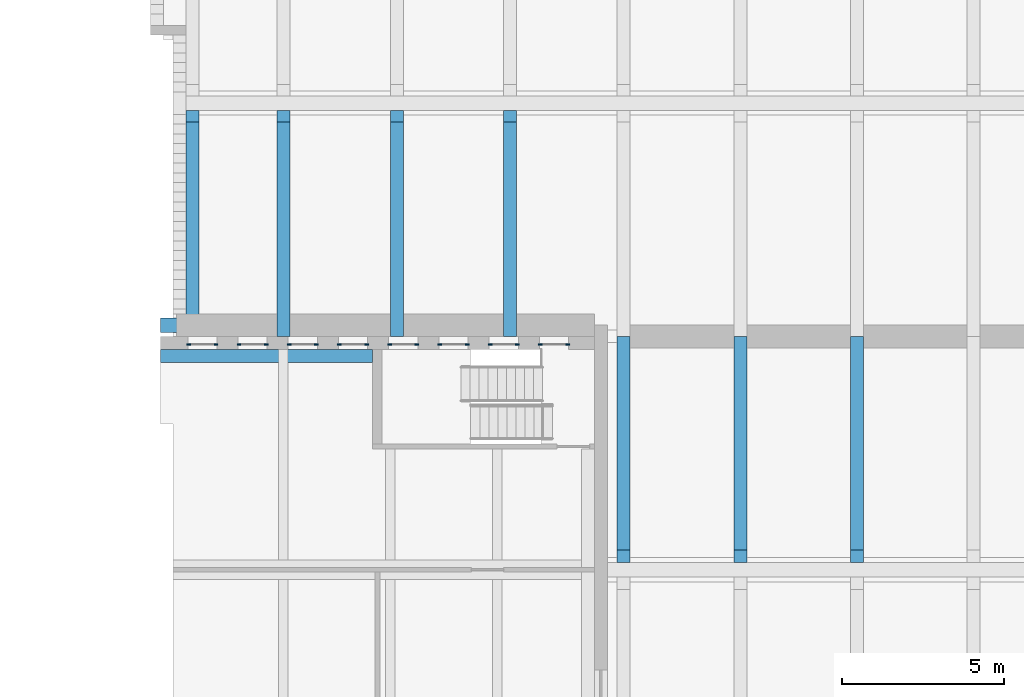
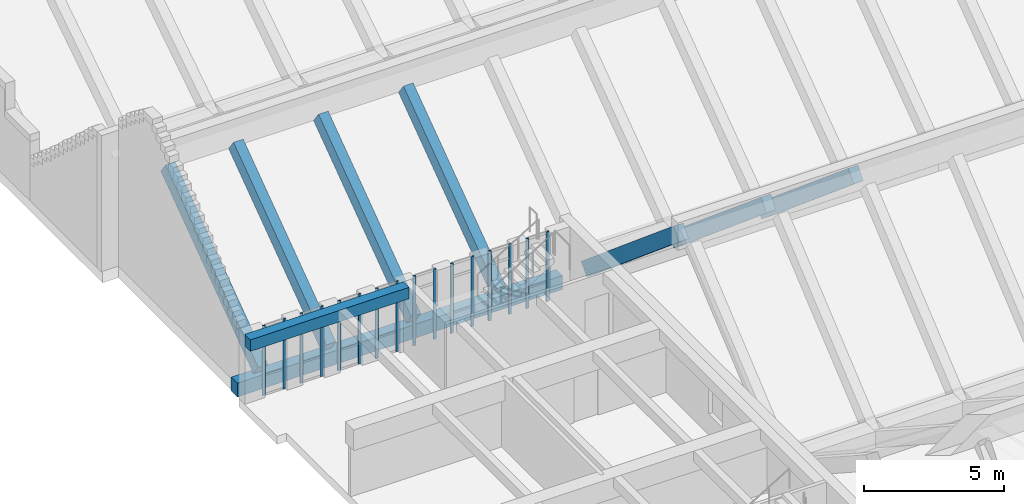
# One storey, part 7 of 31: 16 members, 9 beams, 8 elements without a shape of their own.
"""IFC4 building model written with IfcOpenShell, lengths in metres."""

from ifc_helpers import new_model, si_unit, direction, frame, origin, origin_2d, place, context, subcontext, project, spatial, rectangle, extrude, material, material_profile, profile_set, type_object, element, aggregate, save


model = new_model("IFC4")

# Units and contexts
model_context = context("Model", 3, precision=1e-05, world=origin(), true_north=direction((0.0, 1.0)))
body_context = subcontext(model_context, "Body", "Model", "MODEL_VIEW")
ifc_project = project(units=[si_unit("LENGTHUNIT", "METRE"), si_unit("AREAUNIT", "SQUARE_METRE"), si_unit("VOLUMEUNIT", "CUBIC_METRE"), si_unit("PLANEANGLEUNIT", "RADIAN"), si_unit("MASSUNIT", "GRAM", prefix="KILO")], contexts=[model_context])

# Site, building, storey
site_placement = place(None, origin())
site = spatial("IfcSite", under=ifc_project, at=site_placement, CompositionType="ELEMENT")
building_placement = place(site_placement, origin())
building = spatial("IfcBuilding", under=site, at=building_placement, Name="Vermilion Court Aquatics Centre", CompositionType="ELEMENT")
storey_placement = place(building_placement, frame((0.0, 0.0, 16.5)))
storey = spatial("IfcBuildingStorey", under=building, at=storey_placement, Name="L03", CompositionType="ELEMENT", Elevation=16.5)

# Beam
ifc_material_1 = material(Name="Concrete 8000 psi", Category="concrete")
ifc_material_profile_1 = material_profile(ifc_material_1, rectangle(XDim=0.39990234375, YDim=0.5, at=origin_2d()), Name="RC 400x500")
ifc_profile_set_1 = profile_set([ifc_material_profile_1], Name="Concrete 8000 psi")
beam_type_1 = type_object("IfcBeamType", Name="Diving Tower diaphragm chord beam RC 400x500", PredefinedType="BEAM", material=ifc_profile_set_1)
beam_1_placement = place(storey_placement, frame((144.110107421875, 57.0, 2.800048828125), z_axis=(1.0, 0.0, 0.0), x_axis=(0.0, 1.0, 0.0)))
element("IfcBeam", 1, at=beam_1_placement, inside=storey, type_object=beam_type_1, Name="Diving Tower diaphragm chord beam N L04", PredefinedType="BEAM", context=body_context, shape_type="SweptSolid", body=[
    extrude(rectangle(XDim=0.39990234375, YDim=0.5, at=origin_2d()), origin(), (0.0, 0.0, 1.0), 6.539794921875),
])

# Curtain wall, members
ifc_material_2 = material(Name="Aluminium 6063-T5", Category="aluminium")
curtain_wall_type = type_object("IfcCurtainWallType", Name="Diving Tower slot curtain wall 900 module", PredefinedType="NOTDEFINED", material=ifc_material_2)
curtain_wall_1_placement = place(storey_placement, origin())
curtain_wall_1 = element("IfcCurtainWall", 2, at=curtain_wall_1_placement, inside=storey, type_object=curtain_wall_type, Name="Diving Tower slot window north 1 L03", PredefinedType="NOTDEFINED")
ifc_material_3 = material(Name="Aluminium 6063-T5", Category="aluminium")
ifc_material_profile_2 = material_profile(ifc_material_3, rectangle(XDim=0.050048828125, YDim=0.1201171875, at=origin_2d()), Name="AL 50x120")
ifc_profile_set_2 = profile_set([ifc_material_profile_2], Name="Aluminium 6063-T5")
member_type = type_object("IfcMemberType", Name="Diving Tower slot mullion 50x120", PredefinedType="MULLION", material=ifc_profile_set_2)
member_1_placement = place(storey_placement, frame((144.97998046875, 57.35009765625, 0.0), z_axis=(0.0, 0.0, 1.0), x_axis=(0.0, 1.0, 0.0)))
member_1 = element("IfcMember", 3, at=member_1_placement, type_object=member_type, Name="UCW3 mullion 1", PredefinedType="MULLION", context=body_context, shape_type="SweptSolid", body=[
    extrude(rectangle(XDim=0.050048828125, YDim=0.1201171875, at=origin_2d()), origin(), (0.0, 0.0, 1.0), 3.050048828125),
])
member_2_placement = place(storey_placement, frame((145.820068359375, 57.35009765625, 0.0), z_axis=(0.0, 0.0, 1.0), x_axis=(0.0, 1.0, 0.0)))
member_2 = element("IfcMember", 4, at=member_2_placement, type_object=member_type, Name="UCW3 mullion 2", PredefinedType="MULLION", context=body_context, shape_type="SweptSolid", body=[
    extrude(rectangle(XDim=0.050048828125, YDim=0.1201171875, at=origin_2d()), origin(), (0.0, 0.0, 1.0), 3.050048828125),
])
aggregate(curtain_wall_1, [member_1, member_2])

curtain_wall_2_placement = place(storey_placement, origin())
curtain_wall_2 = element("IfcCurtainWall", 5, at=curtain_wall_2_placement, inside=storey, type_object=curtain_wall_type, Name="Diving Tower slot window north 2 L03", PredefinedType="NOTDEFINED")
member_3_placement = place(storey_placement, frame((146.530029296875, 57.35009765625, 0.0), z_axis=(0.0, 0.0, 1.0), x_axis=(0.0, 1.0, 0.0)))
member_3 = element("IfcMember", 6, at=member_3_placement, type_object=member_type, Name="UCW3 mullion 1", PredefinedType="MULLION", context=body_context, shape_type="SweptSolid", body=[
    extrude(rectangle(XDim=0.050048828125, YDim=0.1201171875, at=origin_2d()), origin(), (0.0, 0.0, 1.0), 3.050048828125),
])
member_4_placement = place(storey_placement, frame((147.3701171875, 57.35009765625, 0.0), z_axis=(0.0, 0.0, 1.0), x_axis=(0.0, 1.0, 0.0)))
member_4 = element("IfcMember", 7, at=member_4_placement, type_object=member_type, Name="UCW3 mullion 2", PredefinedType="MULLION", context=body_context, shape_type="SweptSolid", body=[
    extrude(rectangle(XDim=0.050048828125, YDim=0.1201171875, at=origin_2d()), origin(), (0.0, 0.0, 1.0), 3.050048828125),
])
aggregate(curtain_wall_2, [member_3, member_4])

curtain_wall_3_placement = place(storey_placement, origin())
curtain_wall_3 = element("IfcCurtainWall", 8, at=curtain_wall_3_placement, inside=storey, type_object=curtain_wall_type, Name="Diving Tower slot window north 3 L03", PredefinedType="NOTDEFINED")
member_5_placement = place(storey_placement, frame((148.080078125, 57.35009765625, 0.0), z_axis=(0.0, 0.0, 1.0), x_axis=(0.0, 1.0, 0.0)))
member_5 = element("IfcMember", 9, at=member_5_placement, type_object=member_type, Name="UCW3 mullion 1", PredefinedType="MULLION", context=body_context, shape_type="SweptSolid", body=[
    extrude(rectangle(XDim=0.050048828125, YDim=0.1201171875, at=origin_2d()), origin(), (0.0, 0.0, 1.0), 3.050048828125),
])
member_6_placement = place(storey_placement, frame((148.919921875, 57.35009765625, 0.0), z_axis=(0.0, 0.0, 1.0), x_axis=(0.0, 1.0, 0.0)))
member_6 = element("IfcMember", 10, at=member_6_placement, type_object=member_type, Name="UCW3 mullion 2", PredefinedType="MULLION", context=body_context, shape_type="SweptSolid", body=[
    extrude(rectangle(XDim=0.050048828125, YDim=0.1201171875, at=origin_2d()), origin(), (0.0, 0.0, 1.0), 3.050048828125),
])
aggregate(curtain_wall_3, [member_5, member_6])

curtain_wall_4_placement = place(storey_placement, origin())
curtain_wall_4 = element("IfcCurtainWall", 11, at=curtain_wall_4_placement, inside=storey, type_object=curtain_wall_type, Name="Diving Tower slot window north 4 L03", PredefinedType="NOTDEFINED")
member_7_placement = place(storey_placement, frame((149.6298828125, 57.35009765625, 0.0), z_axis=(0.0, 0.0, 1.0), x_axis=(0.0, 1.0, 0.0)))
member_7 = element("IfcMember", 12, at=member_7_placement, type_object=member_type, Name="UCW3 mullion 1", PredefinedType="MULLION", context=body_context, shape_type="SweptSolid", body=[
    extrude(rectangle(XDim=0.050048828125, YDim=0.1201171875, at=origin_2d()), origin(), (0.0, 0.0, 1.0), 3.050048828125),
])
member_8_placement = place(storey_placement, frame((150.469970703125, 57.35009765625, 0.0), z_axis=(0.0, 0.0, 1.0), x_axis=(0.0, 1.0, 0.0)))
member_8 = element("IfcMember", 13, at=member_8_placement, type_object=member_type, Name="UCW3 mullion 2", PredefinedType="MULLION", context=body_context, shape_type="SweptSolid", body=[
    extrude(rectangle(XDim=0.050048828125, YDim=0.1201171875, at=origin_2d()), origin(), (0.0, 0.0, 1.0), 3.050048828125),
])
aggregate(curtain_wall_4, [member_7, member_8])

curtain_wall_5_placement = place(storey_placement, origin())
curtain_wall_5 = element("IfcCurtainWall", 14, at=curtain_wall_5_placement, inside=storey, type_object=curtain_wall_type, Name="Diving Tower slot window north 5 L03", PredefinedType="NOTDEFINED")
member_9_placement = place(storey_placement, frame((151.179931640625, 57.35009765625, 0.0), z_axis=(0.0, 0.0, 1.0), x_axis=(0.0, 1.0, 0.0)))
member_9 = element("IfcMember", 15, at=member_9_placement, type_object=member_type, Name="UCW3 mullion 1", PredefinedType="MULLION", context=body_context, shape_type="SweptSolid", body=[
    extrude(rectangle(XDim=0.050048828125, YDim=0.1201171875, at=origin_2d()), origin(), (0.0, 0.0, 1.0), 3.050048828125),
])
member_10_placement = place(storey_placement, frame((152.02001953125, 57.35009765625, 0.0), z_axis=(0.0, 0.0, 1.0), x_axis=(0.0, 1.0, 0.0)))
member_10 = element("IfcMember", 16, at=member_10_placement, type_object=member_type, Name="UCW3 mullion 2", PredefinedType="MULLION", context=body_context, shape_type="SweptSolid", body=[
    extrude(rectangle(XDim=0.050048828125, YDim=0.1201171875, at=origin_2d()), origin(), (0.0, 0.0, 1.0), 3.050048828125),
])
aggregate(curtain_wall_5, [member_9, member_10])

curtain_wall_6_placement = place(storey_placement, origin())
curtain_wall_6 = element("IfcCurtainWall", 17, at=curtain_wall_6_placement, inside=storey, type_object=curtain_wall_type, Name="Diving Tower slot window north 6 L03", PredefinedType="NOTDEFINED")
member_11_placement = place(storey_placement, frame((152.72998046875, 57.35009765625, 0.0), z_axis=(0.0, 0.0, 1.0), x_axis=(0.0, 1.0, 0.0)))
member_11 = element("IfcMember", 18, at=member_11_placement, type_object=member_type, Name="UCW3 mullion 1", PredefinedType="MULLION", context=body_context, shape_type="SweptSolid", body=[
    extrude(rectangle(XDim=0.050048828125, YDim=0.1201171875, at=origin_2d()), origin(), (0.0, 0.0, 1.0), 3.050048828125),
])
member_12_placement = place(storey_placement, frame((153.570068359375, 57.35009765625, 0.0), z_axis=(0.0, 0.0, 1.0), x_axis=(0.0, 1.0, 0.0)))
member_12 = element("IfcMember", 19, at=member_12_placement, type_object=member_type, Name="UCW3 mullion 2", PredefinedType="MULLION", context=body_context, shape_type="SweptSolid", body=[
    extrude(rectangle(XDim=0.050048828125, YDim=0.1201171875, at=origin_2d()), origin(), (0.0, 0.0, 1.0), 3.050048828125),
])
aggregate(curtain_wall_6, [member_11, member_12])

curtain_wall_7_placement = place(storey_placement, origin())
curtain_wall_7 = element("IfcCurtainWall", 20, at=curtain_wall_7_placement, inside=storey, type_object=curtain_wall_type, Name="Diving Tower slot window north 7 L03", PredefinedType="NOTDEFINED")
member_13_placement = place(storey_placement, frame((154.280029296875, 57.35009765625, 0.0), z_axis=(0.0, 0.0, 1.0), x_axis=(0.0, 1.0, 0.0)))
member_13 = element("IfcMember", 21, at=member_13_placement, type_object=member_type, Name="UCW3 mullion 1", PredefinedType="MULLION", context=body_context, shape_type="SweptSolid", body=[
    extrude(rectangle(XDim=0.050048828125, YDim=0.1201171875, at=origin_2d()), origin(), (0.0, 0.0, 1.0), 3.050048828125),
])
member_14_placement = place(storey_placement, frame((155.1201171875, 57.35009765625, 0.0), z_axis=(0.0, 0.0, 1.0), x_axis=(0.0, 1.0, 0.0)))
member_14 = element("IfcMember", 22, at=member_14_placement, type_object=member_type, Name="UCW3 mullion 2", PredefinedType="MULLION", context=body_context, shape_type="SweptSolid", body=[
    extrude(rectangle(XDim=0.050048828125, YDim=0.1201171875, at=origin_2d()), origin(), (0.0, 0.0, 1.0), 3.050048828125),
])
aggregate(curtain_wall_7, [member_13, member_14])

curtain_wall_8_placement = place(storey_placement, origin())
curtain_wall_8 = element("IfcCurtainWall", 23, at=curtain_wall_8_placement, inside=storey, type_object=curtain_wall_type, Name="Diving Tower slot window north 8 L03", PredefinedType="NOTDEFINED")
member_15_placement = place(storey_placement, frame((155.830078125, 57.35009765625, 0.0), z_axis=(0.0, 0.0, 1.0), x_axis=(0.0, 1.0, 0.0)))
member_15 = element("IfcMember", 24, at=member_15_placement, type_object=member_type, Name="UCW3 mullion 1", PredefinedType="MULLION", context=body_context, shape_type="SweptSolid", body=[
    extrude(rectangle(XDim=0.050048828125, YDim=0.1201171875, at=origin_2d()), origin(), (0.0, 0.0, 1.0), 3.050048828125),
])
member_16_placement = place(storey_placement, frame((156.669921875, 57.35009765625, 0.0), z_axis=(0.0, 0.0, 1.0), x_axis=(0.0, 1.0, 0.0)))
member_16 = element("IfcMember", 25, at=member_16_placement, type_object=member_type, Name="UCW3 mullion 2", PredefinedType="MULLION", context=body_context, shape_type="SweptSolid", body=[
    extrude(rectangle(XDim=0.050048828125, YDim=0.1201171875, at=origin_2d()), origin(), (0.0, 0.0, 1.0), 3.050048828125),
])
aggregate(curtain_wall_8, [member_15, member_16])

# Beams
ifc_material_4 = material(Name="Concrete 5000 psi", Category="concrete")
ifc_material_profile_3 = material_profile(ifc_material_4, rectangle(XDim=0.39990234375, YDim=0.60009765625, at=origin_2d()), Name="RC 400x600")
ifc_profile_set_3 = profile_set([ifc_material_profile_3], Name="Concrete 5000 psi")
beam_type_2 = type_object("IfcBeamType", Name="Podium roof rafter RC 400x600", PredefinedType="BEAM", material=ifc_profile_set_3)
for number, where, z_axis, x_axis, name in (
    (26, (158.39990234375, 57.40673828125, 0.829833984375), (0.0, -0.76605312053, 0.642777268209), (1.0, 0.0, 0.0), "Roof rafter"),
    (27, (162.0, 57.40673828125, 0.829833984375), (0.0, -0.76605312053, 0.642777268209), (1.0, 0.0, 0.0), "Roof rafter"),
    (28, (165.60009765625, 57.40673828125, 0.829833984375), (0.0, -0.76605312053, 0.642777268209), (1.0, 0.0, 0.0), "Roof rafter"),
):
    element("IfcBeam", number, at=place(storey_placement, frame(where, z_axis=z_axis, x_axis=x_axis)), inside=storey, type_object=beam_type_2, Name=name, PredefinedType="BEAM", context=body_context, shape_type="SweptSolid", body=[
        extrude(rectangle(XDim=0.39990234375, YDim=0.60009765625, at=origin_2d()), origin(), (0.0, 0.0, 1.0), 8.60107421875),
    ])
for number, where, z_axis, x_axis, name in (
    (29, (145.10009765625, 57.77685546875, 0.8427734375), (0.0, 0.809017178583, 0.587784998752), (-1.0, 0.0, 0.0), "Roof rafter"),
    (30, (147.89990234375, 57.77685546875, 0.8427734375), (0.0, 0.809017178583, 0.587784998752), (-1.0, 0.0, 0.0), "Roof rafter"),
    (31, (151.39990234375, 57.77685546875, 0.8427734375), (0.0, 0.809017178583, 0.587784998752), (-1.0, 0.0, 0.0), "Roof rafter"),
    (32, (154.89990234375, 57.77685546875, 0.8427734375), (0.0, 0.809017178583, 0.587784998752), (-1.0, 0.0, 0.0), "Roof rafter"),
):
    element("IfcBeam", number, at=place(storey_placement, frame(where, z_axis=z_axis, x_axis=x_axis)), inside=storey, type_object=beam_type_2, Name=name, PredefinedType="BEAM", context=body_context, shape_type="SweptSolid", body=[
        extrude(rectangle(XDim=0.39990234375, YDim=0.60009765625, at=origin_2d()), origin(), (0.0, 0.0, 1.0), 8.18505859375),
    ])
ifc_material_5 = material(Name="Concrete 5000 psi", Category="concrete")
ifc_material_profile_4 = material_profile(ifc_material_5, rectangle(XDim=0.449951171875, YDim=0.60009765625, at=origin_2d()), Name="RC 450x600")
ifc_profile_set_4 = profile_set([ifc_material_profile_4], Name="Concrete 5000 psi")
beam_type_3 = type_object("IfcBeamType", Name="Podium roof valley beam RC 450x600", PredefinedType="BEAM", material=ifc_profile_set_4)
beam_2_placement = place(storey_placement, frame((144.110107421875, 57.949951171875, 0.300048828125), z_axis=(1.0, 0.0, 0.0), x_axis=(0.0, 1.0, 0.0)))
element("IfcBeam", 33, at=beam_2_placement, inside=storey, type_object=beam_type_3, Name="Roof valley beam", PredefinedType="BEAM", context=body_context, shape_type="SweptSolid", body=[
    extrude(rectangle(XDim=0.449951171875, YDim=0.60009765625, at=origin_2d()), origin(), (0.0, 0.0, 1.0), 13.389892578125),
])

save(model, "model.ifc")
